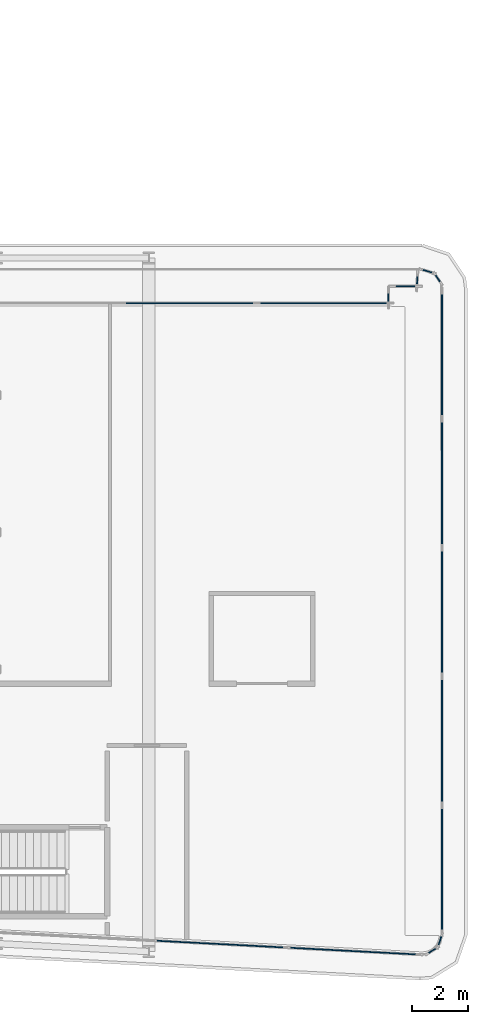
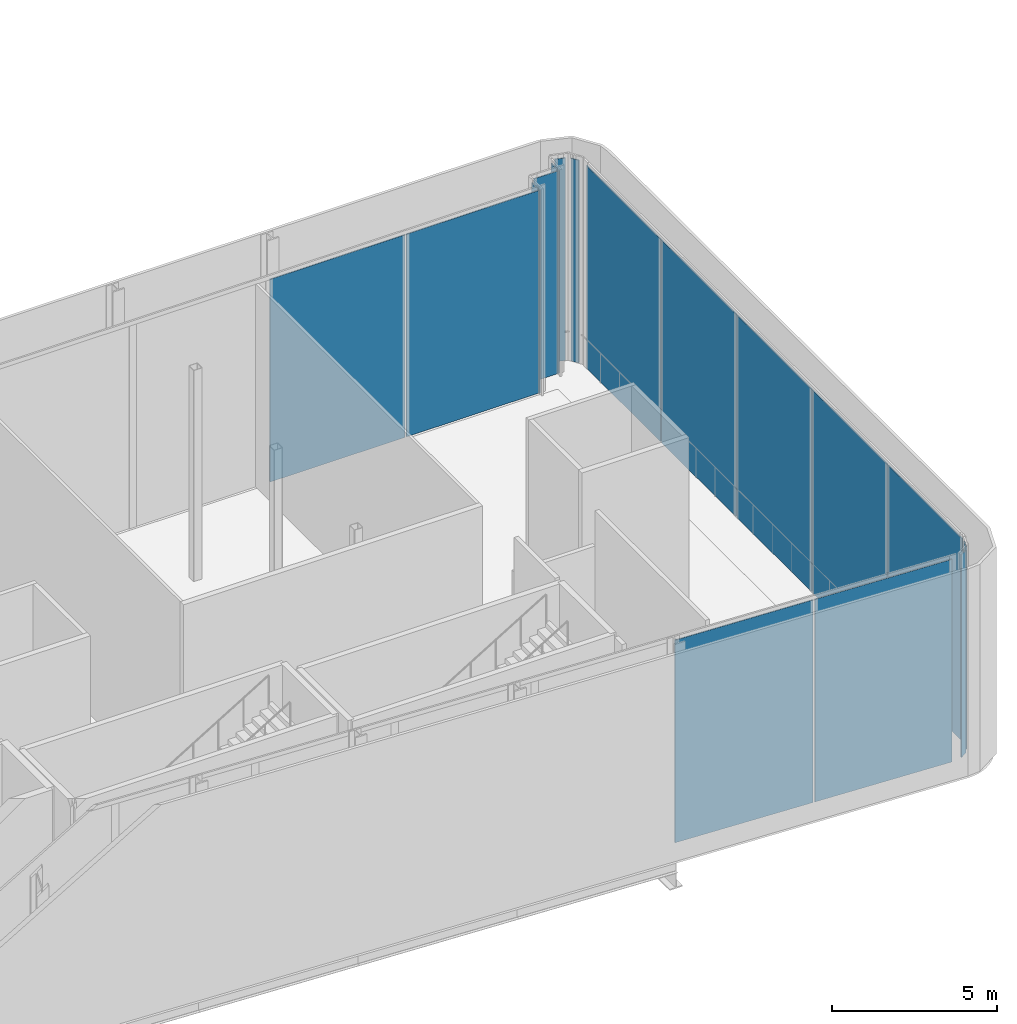
# One storey, part 24 of 37: 16 plates, 10 elements without a shape of their own.
"""IFC4 building model written with IfcOpenShell, lengths in metres."""

from ifc_helpers import new_model, si_unit, direction, frame, origin, origin_2d, place, context, subcontext, project, spatial, rectangle, extrude, material, layer, layer_set, type_object, element, aggregate, save


model = new_model("IFC4")

# Units and contexts
model_context = context("Model", 3, precision=1e-05, world=origin(), true_north=direction((0.0, 1.0)))
body_context = subcontext(model_context, "Body", "Model", "MODEL_VIEW")
ifc_project = project(units=[si_unit("LENGTHUNIT", "METRE"), si_unit("AREAUNIT", "SQUARE_METRE"), si_unit("VOLUMEUNIT", "CUBIC_METRE"), si_unit("PLANEANGLEUNIT", "RADIAN"), si_unit("MASSUNIT", "GRAM", prefix="KILO")], contexts=[model_context])

# Site, building, storey
site_placement = place(None, origin())
site = spatial("IfcSite", under=ifc_project, at=site_placement, CompositionType="ELEMENT")
building_placement = place(site_placement, origin())
building = spatial("IfcBuilding", under=site, at=building_placement, Name="Kheshtan School and Residences Tower", CompositionType="ELEMENT")
storey_placement = place(building_placement, frame((0.0, 0.0, 144.800048828125)))
storey = spatial("IfcBuildingStorey", under=building, at=storey_placement, Name="L34", CompositionType="ELEMENT", Elevation=144.800048828125)

# Curtain wall, plates
ifc_material = material(Name="Clear low-e glass in thermally broken aluminium frame", Category="aluminium")
ifc_layer_1 = layer(ifc_material, 0.25)
ifc_layer_set_1 = layer_set([ifc_layer_1], Name="Curtain wall CW-G")
curtain_wall_type_1 = type_object("IfcCurtainWallType", Name="Curtain wall CW-G", PredefinedType="NOTDEFINED", material=ifc_layer_set_1)
curtain_wall_1_placement = place(storey_placement, origin())
curtain_wall_1 = element("IfcCurtainWall", 1, at=curtain_wall_1_placement, inside=storey, type_object=curtain_wall_type_1, Name="Curtain wall CWG5a", PredefinedType="NOTDEFINED")
ifc_layer_2 = layer(ifc_material, 0.0380859375)
ifc_layer_set_2 = layer_set([ifc_layer_2], Name="CW-G glass panel")
plate_type_1 = type_object("IfcPlateType", Name="CW-G glass panel", PredefinedType="CURTAIN_PANEL", material=ifc_layer_set_2)
plate_1_placement = place(storey_placement, frame((92.239013671875, 44.0, 0.0), z_axis=(0.0, 0.0, 1.0), x_axis=(1.0, 0.0, 0.0)))
plate_1 = element("IfcPlate", 2, at=plate_1_placement, type_object=plate_type_1, Name="CWG5a panel 4.1", PredefinedType="CURTAIN_PANEL", context=body_context, shape_type="SweptSolid", body=[
    extrude(rectangle(XDim=4.714111328125, YDim=0.0380859375, at=origin_2d()), origin(), (0.0, 0.0, 1.0), 7.489990234375),
])
plate_2_placement = place(storey_placement, frame((96.998046875, 44.0, 0.0), z_axis=(0.0, 0.0, 1.0), x_axis=(1.0, 0.0, 0.0)))
plate_2 = element("IfcPlate", 3, at=plate_2_placement, type_object=plate_type_1, Name="CWG5a panel 5.1", PredefinedType="CURTAIN_PANEL", context=body_context, shape_type="SweptSolid", body=[
    extrude(rectangle(XDim=4.68408203125, YDim=0.0380859375, at=origin_2d()), origin(), (0.0, 0.0, 1.0), 7.489990234375),
])
aggregate(curtain_wall_1, [plate_1, plate_2])

# Curtain wall, plate
ifc_layer_3 = layer(ifc_material, 0.25)
ifc_layer_set_3 = layer_set([ifc_layer_3], Name="Curtain wall CW-K")
curtain_wall_type_2 = type_object("IfcCurtainWallType", Name="Curtain wall CW-K", PredefinedType="NOTDEFINED", material=ifc_layer_set_3)
curtain_wall_2_placement = place(storey_placement, origin())
curtain_wall_2 = element("IfcCurtainWall", 4, at=curtain_wall_2_placement, inside=storey, type_object=curtain_wall_type_2, Name="Curtain wall CWK6", PredefinedType="NOTDEFINED")
ifc_layer_4 = layer(ifc_material, 0.0380859375)
ifc_layer_set_4 = layer_set([ifc_layer_4], Name="CW-K glass panel")
plate_type_2 = type_object("IfcPlateType", Name="CW-K glass panel", PredefinedType="CURTAIN_PANEL", material=ifc_layer_set_4)
plate_3_placement = place(storey_placement, frame((99.300048828125, 44.199951171875, 0.0), z_axis=(0.0, 0.0, 1.0), x_axis=(0.0, 1.0, 0.0)))
plate_3 = element("IfcPlate", 5, at=plate_3_placement, type_object=plate_type_2, Name="CWK6 panel 1.1", PredefinedType="CURTAIN_PANEL", context=body_context, shape_type="SweptSolid", body=[
    extrude(rectangle(XDim=0.47998046875, YDim=0.0380859375, at=origin_2d()), origin(), (0.0, 0.0, 1.0), 7.489990234375),
])
aggregate(curtain_wall_2, [plate_3])

curtain_wall_3_placement = place(storey_placement, origin())
curtain_wall_3 = element("IfcCurtainWall", 6, at=curtain_wall_3_placement, inside=storey, type_object=curtain_wall_type_2, Name="Curtain wall CWK7", PredefinedType="NOTDEFINED")
plate_4_placement = place(storey_placement, frame((99.900390625, 44.60009765625, 0.0), z_axis=(0.0, 0.0, 1.0), x_axis=(1.0, 0.0, 0.0)))
plate_4 = element("IfcPlate", 7, at=plate_4_placement, type_object=plate_type_2, Name="CWK7 panel 1.1", PredefinedType="CURTAIN_PANEL", context=body_context, shape_type="SweptSolid", body=[
    extrude(rectangle(XDim=0.881103515625, YDim=0.0380859375, at=origin_2d()), origin(), (0.0, 0.0, 1.0), 7.489990234375),
])
aggregate(curtain_wall_3, [plate_4])

curtain_wall_4_placement = place(storey_placement, origin())
curtain_wall_4 = element("IfcCurtainWall", 8, at=curtain_wall_4_placement, inside=storey, type_object=curtain_wall_type_2, Name="Curtain wall CWK8", PredefinedType="NOTDEFINED")
plate_5_placement = place(storey_placement, frame((100.32080078125, 44.806396484375, 0.0), z_axis=(0.0, 0.0, 1.0), x_axis=(0.06486312108, 0.997894170503, 0.0)))
plate_5 = element("IfcPlate", 9, at=plate_5_placement, type_object=plate_type_2, Name="CWK8 panel 1.1", PredefinedType="CURTAIN_PANEL", context=body_context, shape_type="SweptSolid", body=[
    extrude(rectangle(XDim=0.481201171875, YDim=0.0380859375, at=origin_2d()), origin(), (0.0, 0.0, 1.0), 7.489990234375),
])
aggregate(curtain_wall_4, [plate_5])

curtain_wall_5_placement = place(storey_placement, origin())
curtain_wall_5 = element("IfcCurtainWall", 10, at=curtain_wall_5_placement, inside=storey, type_object=curtain_wall_type_2, Name="Curtain wall CWK9", PredefinedType="NOTDEFINED")
plate_6_placement = place(storey_placement, frame((100.680908203125, 45.1328125, 0.0), z_axis=(0.0, 0.0, 1.0), x_axis=(0.958752584368, -0.284241942661, 0.0)))
plate_6 = element("IfcPlate", 11, at=plate_6_placement, type_object=plate_type_2, Name="CWK9 panel 1.1", PredefinedType="CURTAIN_PANEL", context=body_context, shape_type="SweptSolid", body=[
    extrude(rectangle(XDim=0.3232421875, YDim=0.0380859375, at=origin_2d()), origin(), (0.0, 0.0, 1.0), 7.489990234375),
])
aggregate(curtain_wall_5, [plate_6])

curtain_wall_6_placement = place(storey_placement, origin())
curtain_wall_6 = element("IfcCurtainWall", 12, at=curtain_wall_6_placement, inside=storey, type_object=curtain_wall_type_2, Name="Curtain wall CWK10", PredefinedType="NOTDEFINED")
plate_7_placement = place(storey_placement, frame((101.0546875, 44.8701171875, 0.0), z_axis=(0.0, 0.0, 1.0), x_axis=(0.555301678168, -0.831648992198, 0.0)))
plate_7 = element("IfcPlate", 13, at=plate_7_placement, type_object=plate_type_2, Name="CWK10 panel 1.1", PredefinedType="CURTAIN_PANEL", context=body_context, shape_type="SweptSolid", body=[
    extrude(rectangle(XDim=0.263671875, YDim=0.0380859375, at=origin_2d()), origin(), (0.0, 0.0, 1.0), 7.489990234375),
])
aggregate(curtain_wall_6, [plate_7])

# Curtain wall, plates
curtain_wall_7_placement = place(storey_placement, origin())
curtain_wall_7 = element("IfcCurtainWall", 14, at=curtain_wall_7_placement, inside=storey, type_object=curtain_wall_type_2, Name="Curtain wall CWK11", PredefinedType="NOTDEFINED")
plate_8_placement = place(storey_placement, frame((101.199951171875, 42.169189453125, 0.0), z_axis=(0.0, 0.0, 1.0), x_axis=(0.0, -1.0, 0.0)))
plate_8 = element("IfcPlate", 15, at=plate_8_placement, type_object=plate_type_2, Name="CWK11 panel 1.1", PredefinedType="CURTAIN_PANEL", context=body_context, shape_type="SweptSolid", body=[
    extrude(rectangle(XDim=4.481689453125, YDim=0.0380859375, at=origin_2d()), origin(), (0.0, 0.0, 1.0), 7.489990234375),
])
plate_9_placement = place(storey_placement, frame((101.199951171875, 37.612548828125, 0.0), z_axis=(0.0, 0.0, 1.0), x_axis=(0.0, -1.0, 0.0)))
plate_9 = element("IfcPlate", 16, at=plate_9_placement, type_object=plate_type_2, Name="CWK11 panel 2.1", PredefinedType="CURTAIN_PANEL", context=body_context, shape_type="SweptSolid", body=[
    extrude(rectangle(XDim=4.51171875, YDim=0.0380859375, at=origin_2d()), origin(), (0.0, 0.0, 1.0), 7.489990234375),
])
plate_10_placement = place(storey_placement, frame((101.199951171875, 33.041015625, 0.0), z_axis=(0.0, 0.0, 1.0), x_axis=(0.0, -1.0, 0.0)))
plate_10 = element("IfcPlate", 17, at=plate_10_placement, type_object=plate_type_2, Name="CWK11 panel 3.1", PredefinedType="CURTAIN_PANEL", context=body_context, shape_type="SweptSolid", body=[
    extrude(rectangle(XDim=4.51171875, YDim=0.0380859375, at=origin_2d()), origin(), (0.0, 0.0, 1.0), 7.489990234375),
])
plate_11_placement = place(storey_placement, frame((101.199951171875, 28.469482421875, 0.0), z_axis=(0.0, 0.0, 1.0), x_axis=(0.0, -1.0, 0.0)))
plate_11 = element("IfcPlate", 18, at=plate_11_placement, type_object=plate_type_2, Name="CWK11 panel 4.1", PredefinedType="CURTAIN_PANEL", context=body_context, shape_type="SweptSolid", body=[
    extrude(rectangle(XDim=4.51171875, YDim=0.0380859375, at=origin_2d()), origin(), (0.0, 0.0, 1.0), 7.489990234375),
])
plate_12_placement = place(storey_placement, frame((101.199951171875, 23.912841796875, 0.0), z_axis=(0.0, 0.0, 1.0), x_axis=(0.0, -1.0, 0.0)))
plate_12 = element("IfcPlate", 19, at=plate_12_placement, type_object=plate_type_2, Name="CWK11 panel 5.1", PredefinedType="CURTAIN_PANEL", context=body_context, shape_type="SweptSolid", body=[
    extrude(rectangle(XDim=4.481689453125, YDim=0.0380859375, at=origin_2d()), origin(), (0.0, 0.0, 1.0), 7.489990234375),
])
aggregate(curtain_wall_7, [plate_8, plate_9, plate_10, plate_11, plate_12])

# Curtain wall, plate
curtain_wall_8_placement = place(storey_placement, origin())
curtain_wall_8 = element("IfcCurtainWall", 20, at=curtain_wall_8_placement, inside=storey, type_object=curtain_wall_type_2, Name="Curtain wall CWK12", PredefinedType="NOTDEFINED")
plate_13_placement = place(storey_placement, frame((101.129150390625, 21.37890625, 0.0), z_axis=(0.0, 0.0, 1.0), x_axis=(-0.310575339699, -0.950548766961, 0.0)))
plate_13 = element("IfcPlate", 21, at=plate_13_placement, type_object=plate_type_2, Name="CWK12 panel 1.1", PredefinedType="CURTAIN_PANEL", context=body_context, shape_type="SweptSolid", body=[
    extrude(rectangle(XDim=0.304931640625, YDim=0.0380859375, at=origin_2d()), origin(), (0.0, 0.0, 1.0), 7.489990234375),
])
aggregate(curtain_wall_8, [plate_13])

curtain_wall_9_placement = place(storey_placement, origin())
curtain_wall_9 = element("IfcCurtainWall", 22, at=curtain_wall_9_placement, inside=storey, type_object=curtain_wall_type_2, Name="Curtain wall CWK13", PredefinedType="NOTDEFINED")
plate_14_placement = place(storey_placement, frame((100.850830078125, 21.017578125, 0.0), z_axis=(0.0, 0.0, 1.0), x_axis=(-0.849678775936, -0.527300652118, 0.0)))
plate_14 = element("IfcPlate", 23, at=plate_14_placement, type_object=plate_type_2, Name="CWK13 panel 1.1", PredefinedType="CURTAIN_PANEL", context=body_context, shape_type="SweptSolid", body=[
    extrude(rectangle(XDim=0.280029296875, YDim=0.0380859375, at=origin_2d()), origin(), (0.0, 0.0, 1.0), 7.489990234375),
])
aggregate(curtain_wall_9, [plate_14])

# Curtain wall, plates
curtain_wall_10_placement = place(storey_placement, origin())
curtain_wall_10 = element("IfcCurtainWall", 24, at=curtain_wall_10_placement, inside=storey, type_object=curtain_wall_type_2, Name="Curtain wall CWK14", PredefinedType="NOTDEFINED")
plate_15_placement = place(storey_placement, frame((98.04736328125, 21.0087890625, 0.0), z_axis=(0.0, 0.0, 1.0), x_axis=(-0.998617247391, 0.052569888839, 0.0)))
plate_15 = element("IfcPlate", 25, at=plate_15_placement, type_object=plate_type_2, Name="CWK14 panel 1.1", PredefinedType="CURTAIN_PANEL", context=body_context, shape_type="SweptSolid", body=[
    extrude(rectangle(XDim=4.657470703125, YDim=0.0380859375, at=origin_2d()), origin(), (0.0, 0.0, 1.0), 7.489990234375),
])
plate_16_placement = place(storey_placement, frame((93.321533203125, 21.257568359375, 0.0), z_axis=(0.0, 0.0, 1.0), x_axis=(-0.998617247391, 0.052569888839, 0.0)))
plate_16 = element("IfcPlate", 26, at=plate_16_placement, type_object=plate_type_2, Name="CWK14 panel 2.1", PredefinedType="CURTAIN_PANEL", context=body_context, shape_type="SweptSolid", body=[
    extrude(rectangle(XDim=4.6875, YDim=0.0380859375, at=origin_2d()), origin(), (0.0, 0.0, 1.0), 7.489990234375),
])
aggregate(curtain_wall_10, [plate_15, plate_16])

save(model, "model.ifc")
